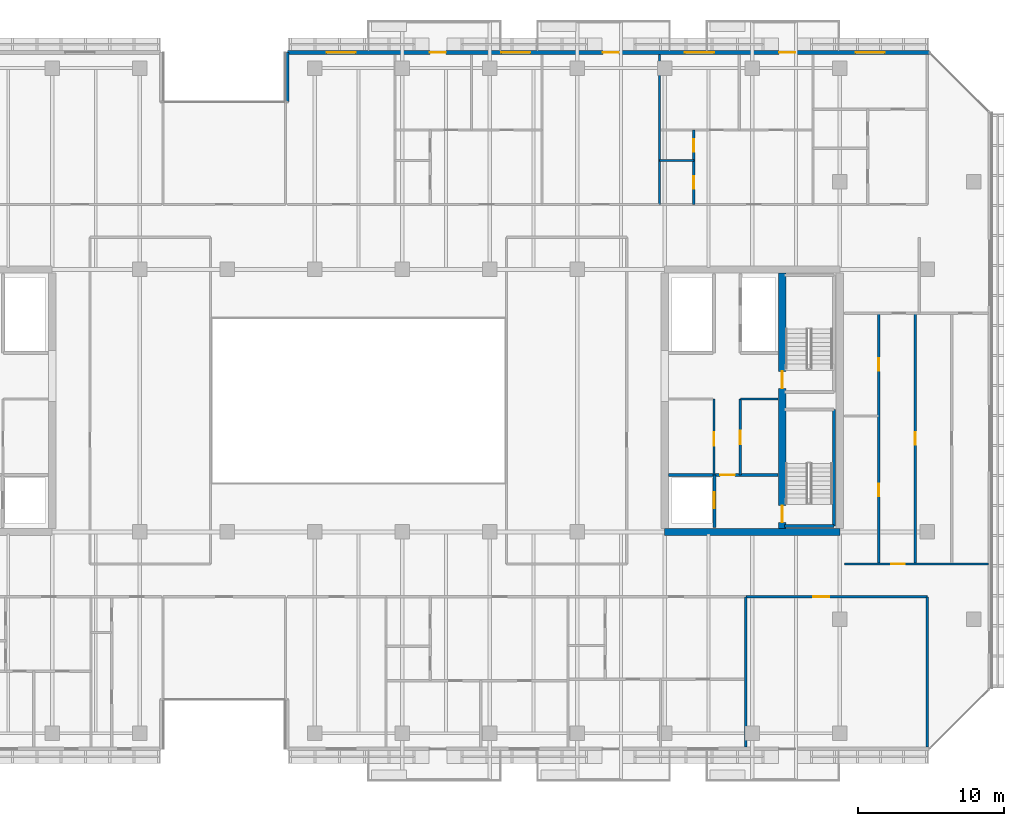
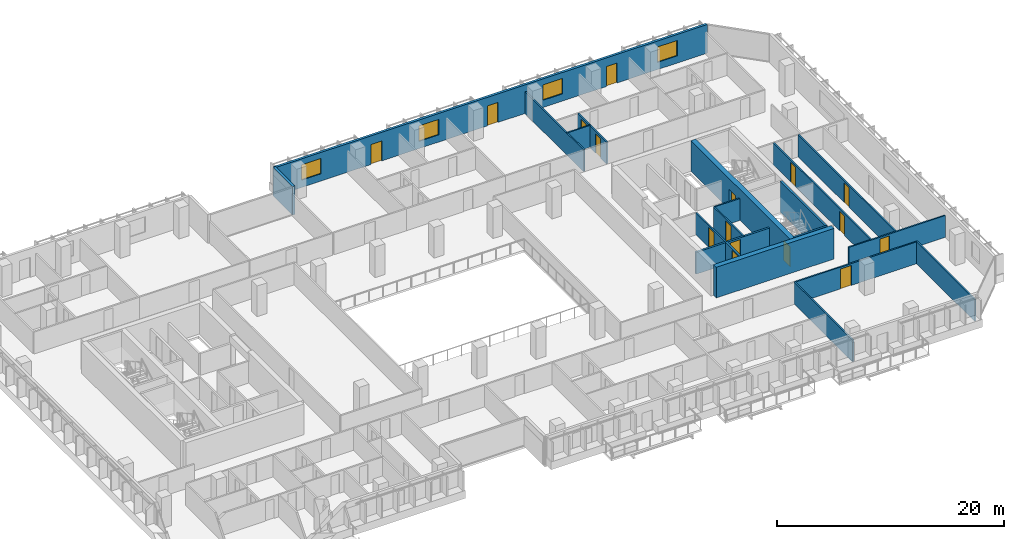
# One storey, part 27 of 35: 20 walls, 16 doors, 4 windows, 20 openings.
"""IFC4 building model written with IfcOpenShell, lengths in metres."""

from ifc_helpers import new_model, si_unit, direction, frame, frame_2d, origin, place, context, subcontext, project, spatial, rectangle, extrude, material, layer, layer_set, type_object, element, fill, save


model = new_model("IFC4")

# Units and contexts
model_context = context("Model", 3, precision=1e-05, world=origin(), true_north=direction((0.0, 1.0)))
body_context = subcontext(model_context, "Body", "Model", "MODEL_VIEW")
ifc_project = project(units=[si_unit("LENGTHUNIT", "METRE"), si_unit("AREAUNIT", "SQUARE_METRE"), si_unit("VOLUMEUNIT", "CUBIC_METRE"), si_unit("PLANEANGLEUNIT", "RADIAN"), si_unit("MASSUNIT", "GRAM", prefix="KILO")], contexts=[model_context])

# Site, building, storey
site_placement = place(None, origin())
site = spatial("IfcSite", under=ifc_project, at=site_placement, CompositionType="ELEMENT")
building_placement = place(site_placement, origin())
building = spatial("IfcBuilding", under=site, at=building_placement, Name="Tanjung Sevakor Pilgrim Tower", CompositionType="ELEMENT")
storey_placement = place(building_placement, frame((0.0, 0.0, 92.070068359375)))
storey = spatial("IfcBuildingStorey", under=building, at=storey_placement, Name="L25", CompositionType="ELEMENT", Elevation=92.070068359375)

# Wall
ifc_material_1 = material(Name="Concrete C60/75", Category="concrete")
ifc_layer_1 = layer(ifc_material_1, 0.5)
ifc_layer_set_1 = layer_set([ifc_layer_1], Name="WALL-CW-500")
wall_type_1 = type_object("IfcWallType", Name="WALL-CW-500", PredefinedType="SHEAR", material=ifc_layer_set_1)
wall_1_placement = place(storey_placement, frame((78.0, 24.60009765625, 0.0), z_axis=(0.0, 0.0, 1.0), x_axis=(1.0, 0.0, 0.0)))
element("IfcWall", 1, at=wall_1_placement, inside=storey, type_object=wall_type_1, Name="L25 E Core South Shear Wall", PredefinedType="SHEAR", context=body_context, shape_type="SweptSolid", body=[
    extrude(rectangle(XDim=12.0, YDim=0.5, at=frame_2d((6.0, 0.0))), origin(), (0.0, 0.0, 1.0), 3.300048828125),
])

# Wall, openings, doors
wall_2_placement = place(storey_placement, frame((86.050048828125, 24.85009765625, 0.0), z_axis=(0.0, 0.0, 1.0), x_axis=(0.0, 1.0, 0.0)))
wall_2 = element("IfcWall", 2, at=wall_2_placement, inside=storey, type_object=wall_type_1, Name="L25 E Core Stair Spine Wall", PredefinedType="SHEAR", context=body_context, shape_type="SweptSolid", body=[
    extrude(rectangle(XDim=17.5, YDim=0.5, at=frame_2d((8.75, 0.0))), origin(), (0.0, 0.0, 1.0), 3.300048828125),
])
opening_1_placement = place(wall_2_placement, frame((0.39990234375, 0.0, 0.0)))
opening_1 = element("IfcOpeningElement", 3, at=opening_1_placement, cuts=wall_2, Name="Opening ID-ST1", PredefinedType="OPENING", context=body_context, shape_type="SweptSolid", body=[
    extrude(rectangle(XDim=1.14990234375, YDim=2.14990234375, at=frame_2d((0.574951171875, 1.074951171875))), frame((0.0, 0.260009765625, 0.0), z_axis=(0.0, -1.0, 0.0), x_axis=(1.0, 0.0, 0.0)), (0.0, 0.0, 1.0), 0.52001953125),
])
opening_2_placement = place(wall_2_placement, frame((9.60009765625, 0.0, 0.0)))
opening_2 = element("IfcOpeningElement", 4, at=opening_2_placement, cuts=wall_2, Name="Opening ID-ST1", PredefinedType="OPENING", context=body_context, shape_type="SweptSolid", body=[
    extrude(rectangle(XDim=1.14990234375, YDim=2.14990234375, at=frame_2d((0.574951171875, 1.074951171875))), frame((0.0, 0.260009765625, 0.0), z_axis=(0.0, -1.0, 0.0), x_axis=(1.0, 0.0, 0.0)), (0.0, 0.0, 1.0), 0.52001953125),
])
ifc_material_2 = material(Name="Fire-Rated Steel S355J2", Category="steel")
door_type_1 = type_object("IfcDoorType", Name="DT-FIRE-1150", OperationType="NOTDEFINED", PredefinedType="DOOR", material=ifc_material_2)
door_1_placement = place(opening_1_placement, origin())
door_1 = element("IfcDoor", 5, at=door_1_placement, inside=storey, type_object=door_type_1, Name="L25 TS-E1 Stair Fire Door", OperationType="SINGLE_SWING_RIGHT", OverallHeight=2.14990234375, OverallWidth=1.14990234375, PredefinedType="DOOR", context=body_context, shape_type="SweptSolid", body=[
    extrude(rectangle(XDim=1.14990234375, YDim=2.14990234375, at=frame_2d((0.574951171875, 1.074951171875))), frame((0.0, 0.02490234375, 0.0), z_axis=(0.0, -1.0, 0.0), x_axis=(1.0, 0.0, 0.0)), (0.0, 0.0, 1.0), 0.050048828125),
])
fill(opening_1, door_1)
door_2_placement = place(opening_2_placement, origin())
door_2 = element("IfcDoor", 6, at=door_2_placement, inside=storey, type_object=door_type_1, Name="L25 TS-E2 Stair Fire Door", OperationType="SINGLE_SWING_LEFT", OverallHeight=2.14990234375, OverallWidth=1.14990234375, PredefinedType="DOOR", context=body_context, shape_type="SweptSolid", body=[
    extrude(rectangle(XDim=1.14990234375, YDim=2.14990234375, at=frame_2d((0.574951171875, 1.074951171875))), frame((0.0, 0.02490234375, 0.0), z_axis=(0.0, -1.0, 0.0), x_axis=(1.0, 0.0, 0.0)), (0.0, 0.0, 1.0), 0.050048828125),
])
fill(opening_2, door_2)

# Wall
ifc_material_3 = material(Name="Concrete C40/50", Category="concrete")
ifc_layer_2 = layer(ifc_material_3, 0.14990234375)
ifc_layer_set_2 = layer_set([ifc_layer_2], Name="WT-COMP-150")
wall_type_2 = type_object("IfcWallType", Name="WT-COMP-150", PredefinedType="SOLIDWALL", material=ifc_layer_set_2)
wall_3_placement = place(storey_placement, frame((83.199951171875, 33.719970703125, 0.0), z_axis=(0.0, 0.0, 1.0), x_axis=(1.0, 0.0, 0.0)))
element("IfcWall", 7, at=wall_3_placement, inside=storey, type_object=wall_type_2, Name="L25 Partition IW-L25-013", PredefinedType="SOLIDWALL", context=body_context, shape_type="SweptSolid", body=[
    extrude(rectangle(XDim=2.580078125, YDim=0.14990234375, at=frame_2d((1.2900390625, 0.0))), origin(), (0.0, 0.0, 1.0), 2.35009765625),
])

# Wall, opening, door
wall_4_placement = place(storey_placement, frame((83.179931640625, 28.5, 0.0), z_axis=(0.0, 0.0, 1.0), x_axis=(0.0, 1.0, 0.0)))
wall_4 = element("IfcWall", 8, at=wall_4_placement, inside=storey, type_object=wall_type_2, Name="L25 Partition IW-L25-014", PredefinedType="SOLIDWALL", context=body_context, shape_type="SweptSolid", body=[
    extrude(rectangle(XDim=5.219970703125, YDim=0.14990234375, at=frame_2d((2.60986328125, 0.0))), origin(), (0.0, 0.0, 1.0), 2.35009765625),
])
opening_3_placement = place(wall_4_placement, frame((2.10009765625, 0.0, 0.0)))
opening_3 = element("IfcOpeningElement", 9, at=opening_3_placement, cuts=wall_4, Name="Opening ID-FD2", PredefinedType="OPENING", context=body_context, shape_type="SweptSolid", body=[
    extrude(rectangle(XDim=0.949951171875, YDim=2.14990234375, at=frame_2d((0.47509765625, 1.074951171875))), frame((0.0, 0.0849609375, 0.0), z_axis=(0.0, -1.0, 0.0), x_axis=(1.0, 0.0, 0.0)), (0.0, 0.0, 1.0), 0.169921875),
])
ifc_material_4 = material(Name="Fire-Rated Timber", Category="wood")
door_type_2 = type_object("IfcDoorType", Name="DT-FIRE-950", OperationType="NOTDEFINED", PredefinedType="DOOR", material=ifc_material_4)
door_3_placement = place(opening_3_placement, origin())
door_3 = element("IfcDoor", 10, at=door_3_placement, inside=storey, type_object=door_type_2, Name="L25 Housekeeping Pantry Door", OperationType="SINGLE_SWING_LEFT", OverallHeight=2.14990234375, OverallWidth=0.949951171875, PredefinedType="DOOR", context=body_context, shape_type="SweptSolid", body=[
    extrude(rectangle(XDim=0.949951171875, YDim=2.14990234375, at=frame_2d((0.47509765625, 1.074951171875))), frame((0.0, 0.02490234375, 0.0), z_axis=(0.0, -1.0, 0.0), x_axis=(1.0, 0.0, 0.0)), (0.0, 0.0, 1.0), 0.050048828125),
])
fill(opening_3, door_3)

wall_5_placement = place(storey_placement, frame((81.3798828125, 28.5, 0.0), z_axis=(0.0, 0.0, 1.0), x_axis=(0.0, 1.0, 0.0)))
wall_5 = element("IfcWall", 11, at=wall_5_placement, inside=storey, type_object=wall_type_2, Name="L25 Partition IW-L25-016", PredefinedType="SOLIDWALL", context=body_context, shape_type="SweptSolid", body=[
    extrude(rectangle(XDim=5.219970703125, YDim=0.14990234375, at=frame_2d((2.60986328125, 0.0))), origin(), (0.0, 0.0, 1.0), 2.35009765625),
])
opening_4_placement = place(wall_5_placement, frame((2.0, 0.0, 0.0)))
opening_4 = element("IfcOpeningElement", 12, at=opening_4_placement, cuts=wall_5, Name="Opening ID-FD2", PredefinedType="OPENING", context=body_context, shape_type="SweptSolid", body=[
    extrude(rectangle(XDim=0.949951171875, YDim=2.14990234375, at=frame_2d((0.47509765625, 1.074951171875))), frame((0.0, 0.0849609375, 0.0), z_axis=(0.0, -1.0, 0.0), x_axis=(1.0, 0.0, 0.0)), (0.0, 0.0, 1.0), 0.169921875),
])
door_4_placement = place(opening_4_placement, origin())
door_4 = element("IfcDoor", 13, at=door_4_placement, inside=storey, type_object=door_type_2, Name="L25 Accessible WC Door", OperationType="SINGLE_SWING_RIGHT", OverallHeight=2.14990234375, OverallWidth=0.949951171875, PredefinedType="DOOR", context=body_context, shape_type="SweptSolid", body=[
    extrude(rectangle(XDim=0.949951171875, YDim=2.14990234375, at=frame_2d((0.47509765625, 1.074951171875))), frame((0.0, 0.02490234375, 0.0), z_axis=(0.0, -1.0, 0.0), x_axis=(1.0, 0.0, 0.0)), (0.0, 0.0, 1.0), 0.050048828125),
])
fill(opening_4, door_4)

wall_6_placement = place(storey_placement, frame((90.320068359375, 22.39990234375, 0.0), z_axis=(0.0, 0.0, 1.0), x_axis=(1.0, 0.0, 0.0)))
wall_6 = element("IfcWall", 14, at=wall_6_placement, inside=storey, type_object=wall_type_2, Name="L25 Partition IW-L25-036", PredefinedType="SOLIDWALL", context=body_context, shape_type="SweptSolid", body=[
    extrude(rectangle(XDim=9.869873046875, YDim=0.14990234375, at=frame_2d((4.93505859375, 0.0))), origin(), (0.0, 0.0, 1.0), 2.35009765625),
])
opening_5_placement = place(wall_6_placement, frame((3.193359375, 0.0, 0.0)))
opening_5 = element("IfcOpeningElement", 15, at=opening_5_placement, cuts=wall_6, Name="Opening ID-FD2", PredefinedType="OPENING", context=body_context, shape_type="SweptSolid", body=[
    extrude(rectangle(XDim=0.949951171875, YDim=2.14990234375, at=frame_2d((0.47509765625, 1.074951171875))), frame((0.0, 0.0849609375, 0.0), z_axis=(0.0, -1.0, 0.0), x_axis=(1.0, 0.0, 0.0)), (0.0, 0.0, 1.0), 0.169921875),
])
door_5_placement = place(opening_5_placement, origin())
door_5 = element("IfcDoor", 16, at=door_5_placement, inside=storey, type_object=door_type_2, Name="Suite Entrance", OperationType="SINGLE_SWING_RIGHT", OverallHeight=2.14990234375, OverallWidth=0.949951171875, PredefinedType="DOOR", context=body_context, shape_type="SweptSolid", body=[
    extrude(rectangle(XDim=0.949951171875, YDim=2.14990234375, at=frame_2d((0.47509765625, 1.074951171875))), frame((0.0, 0.02490234375, 0.0), z_axis=(0.0, -1.0, 0.0), x_axis=(1.0, 0.0, 0.0)), (0.0, 0.0, 1.0), 0.050048828125),
])
fill(opening_5, door_5)

# Walls
for number, where, z_axis, x_axis, name in (
    (17, (96.0, 9.85009765625, 0.0), (0.0, 0.0, 1.0), (0.0, 1.0, 0.0), "L25 Partition IW-L25-059"),
    (18, (83.5595703125, 9.85009765625, 0.0), (0.0, 0.0, 1.0), (0.0, 1.0, 0.0), "L25 Partition IW-L25-068"),
):
    element("IfcWall", number, at=place(storey_placement, frame(where, z_axis=z_axis, x_axis=x_axis)), inside=storey, type_object=wall_type_2, Name=name, PredefinedType="SOLIDWALL", context=body_context, shape_type="SweptSolid", body=[
        extrude(rectangle(XDim=10.2998046875, YDim=0.14990234375, at=frame_2d((5.14990234375, 0.0))), origin(), (0.0, 0.0, 1.0), 2.35009765625),
    ])

# Wall, opening, door
wall_7_placement = place(storey_placement, frame((83.5595703125, 20.14990234375, 0.0), z_axis=(0.0, 0.0, 1.0), x_axis=(1.0, 0.0, 0.0)))
wall_7 = element("IfcWall", 19, at=wall_7_placement, inside=storey, type_object=wall_type_2, Name="L25 Partition IW-L25-074", PredefinedType="SOLIDWALL", context=body_context, shape_type="SweptSolid", body=[
    extrude(rectangle(XDim=12.4404296875, YDim=0.14990234375, at=frame_2d((6.22021484375, 0.0))), origin(), (0.0, 0.0, 1.0), 2.35009765625),
])
opening_6_placement = place(wall_7_placement, frame((4.6201171875, 0.0, 0.0)))
opening_6 = element("IfcOpeningElement", 20, at=opening_6_placement, cuts=wall_7, Name="Opening ID-FD0", PredefinedType="OPENING", context=body_context, shape_type="SweptSolid", body=[
    extrude(rectangle(XDim=1.10009765625, YDim=2.14990234375, at=frame_2d((0.550048828125, 1.074951171875))), frame((0.0, 0.0849609375, 0.0), z_axis=(0.0, -1.0, 0.0), x_axis=(1.0, 0.0, 0.0)), (0.0, 0.0, 1.0), 0.169921875),
])
ifc_material_5 = material(Name="Fire-Rated Steel S355J2", Category="steel")
door_type_3 = type_object("IfcDoorType", Name="DT-FIRE-1100", OperationType="NOTDEFINED", PredefinedType="DOOR", material=ifc_material_5)
door_6_placement = place(opening_6_placement, origin())
door_6 = element("IfcDoor", 21, at=door_6_placement, inside=storey, type_object=door_type_3, Name="Communal Lounge Door", OperationType="SINGLE_SWING_LEFT", OverallHeight=2.14990234375, OverallWidth=1.10009765625, PredefinedType="DOOR", context=body_context, shape_type="SweptSolid", body=[
    extrude(rectangle(XDim=1.10009765625, YDim=2.14990234375, at=frame_2d((0.550048828125, 1.074951171875))), frame((0.0, 0.02490234375, 0.0), z_axis=(0.0, -1.0, 0.0), x_axis=(1.0, 0.0, 0.0)), (0.0, 0.0, 1.0), 0.050048828125),
])
fill(opening_6, door_6)

# Wall
wall_8_placement = place(storey_placement, frame((77.64208984375, 47.050048828125, 0.0), z_axis=(0.0, 0.0, 1.0), x_axis=(0.0, 1.0, 0.0)))
element("IfcWall", 22, at=wall_8_placement, inside=storey, type_object=wall_type_2, Name="L25 Partition IW-L25-092", PredefinedType="SOLIDWALL", context=body_context, shape_type="SweptSolid", body=[
    extrude(rectangle(XDim=10.300048828125, YDim=0.14990234375, at=frame_2d((5.14990234375, 0.0))), origin(), (0.0, 0.0, 1.0), 2.35009765625),
])

# Wall, openings, doors, windows
ifc_material_6 = material(Name="Precast concrete C45/55", Category="concrete")
ifc_layer_3 = layer(ifc_material_6, 0.25)
ifc_layer_set_3 = layer_set([ifc_layer_3], Name="WT-EW-STN3")
wall_type_3 = type_object("IfcWallType", Name="WT-EW-STN3", PredefinedType="SOLIDWALL", material=ifc_layer_set_3)
wall_9_placement = place(storey_placement, frame((96.148193359375, 57.47509765625, 0.0), z_axis=(0.0, 0.0, 1.0), x_axis=(-1.0, 0.0, 0.0)))
wall_9 = element("IfcWall", 23, at=wall_9_placement, inside=storey, type_object=wall_type_3, Name="L25 MAIN Exterior Wall 9", PredefinedType="SOLIDWALL", context=body_context, shape_type="SweptSolid", body=[
    extrude(rectangle(XDim=44.023193359375, YDim=0.25, at=frame_2d((22.01171875, 0.0))), origin(), (0.0, 0.0, 1.0), 3.080078125),
])
opening_7_placement = place(wall_9_placement, frame((33.148193359375, 0.0, 0.0)))
opening_7 = element("IfcOpeningElement", 24, at=opening_7_placement, cuts=wall_9, Name="Opening ED-BAL-1100", PredefinedType="OPENING", context=body_context, shape_type="SweptSolid", body=[
    extrude(rectangle(XDim=1.10009765625, YDim=2.14990234375, at=frame_2d((0.550048828125, 1.074951171875))), frame((0.0, 0.135009765625, 0.0), z_axis=(0.0, -1.0, 0.0), x_axis=(1.0, 0.0, 0.0)), (0.0, 0.0, 1.0), 0.27001953125),
])
opening_8_placement = place(wall_9_placement, frame((21.298095703125, 0.0, 0.0)))
opening_8 = element("IfcOpeningElement", 25, at=opening_8_placement, cuts=wall_9, Name="Opening ED-BAL-1100", PredefinedType="OPENING", context=body_context, shape_type="SweptSolid", body=[
    extrude(rectangle(XDim=1.10009765625, YDim=2.14990234375, at=frame_2d((0.550048828125, 1.074951171875))), frame((0.0, 0.135009765625, 0.0), z_axis=(0.0, -1.0, 0.0), x_axis=(1.0, 0.0, 0.0)), (0.0, 0.0, 1.0), 0.27001953125),
])
opening_9_placement = place(wall_9_placement, frame((9.1982421875, 0.0, 0.0)))
opening_9 = element("IfcOpeningElement", 26, at=opening_9_placement, cuts=wall_9, Name="Opening ED-BAL-1100", PredefinedType="OPENING", context=body_context, shape_type="SweptSolid", body=[
    extrude(rectangle(XDim=1.10009765625, YDim=2.14990234375, at=frame_2d((0.550048828125, 1.074951171875))), frame((0.0, 0.135009765625, 0.0), z_axis=(0.0, -1.0, 0.0), x_axis=(1.0, 0.0, 0.0)), (0.0, 0.0, 1.0), 0.27001953125),
])
opening_10_placement = place(wall_9_placement, frame((39.334228515625, 0.0, 0.780029296875)))
opening_10 = element("IfcOpeningElement", 27, at=opening_10_placement, cuts=wall_9, Name="Opening WN-Z2-1660", PredefinedType="OPENING", context=body_context, shape_type="SweptSolid", body=[
    extrude(rectangle(XDim=2.0, YDim=1.659912109375, at=frame_2d((1.0, 0.830078125))), frame((0.0, 0.135009765625, 0.0), z_axis=(0.0, -1.0, 0.0), x_axis=(1.0, 0.0, 0.0)), (0.0, 0.0, 1.0), 0.27001953125),
])
opening_11_placement = place(wall_9_placement, frame((27.353515625, 0.0, 0.780029296875)))
opening_11 = element("IfcOpeningElement", 28, at=opening_11_placement, cuts=wall_9, Name="Opening WN-Z2-1660", PredefinedType="OPENING", context=body_context, shape_type="SweptSolid", body=[
    extrude(rectangle(XDim=2.0, YDim=1.659912109375, at=frame_2d((1.0, 0.830078125))), frame((0.0, 0.135009765625, 0.0), z_axis=(0.0, -1.0, 0.0), x_axis=(1.0, 0.0, 0.0)), (0.0, 0.0, 1.0), 0.27001953125),
])
opening_12_placement = place(wall_9_placement, frame((14.760498046875, 0.0, 0.780029296875)))
opening_12 = element("IfcOpeningElement", 29, at=opening_12_placement, cuts=wall_9, Name="Opening WN-Z2-1660", PredefinedType="OPENING", context=body_context, shape_type="SweptSolid", body=[
    extrude(rectangle(XDim=2.0, YDim=1.659912109375, at=frame_2d((1.0, 0.830078125))), frame((0.0, 0.135009765625, 0.0), z_axis=(0.0, -1.0, 0.0), x_axis=(1.0, 0.0, 0.0)), (0.0, 0.0, 1.0), 0.27001953125),
])
opening_13_placement = place(wall_9_placement, frame((3.066162109375, 0.0, 0.780029296875)))
opening_13 = element("IfcOpeningElement", 30, at=opening_13_placement, cuts=wall_9, Name="Opening WN-Z2-1660", PredefinedType="OPENING", context=body_context, shape_type="SweptSolid", body=[
    extrude(rectangle(XDim=2.0, YDim=1.659912109375, at=frame_2d((1.0, 0.830078125))), frame((0.0, 0.135009765625, 0.0), z_axis=(0.0, -1.0, 0.0), x_axis=(1.0, 0.0, 0.0)), (0.0, 0.0, 1.0), 0.27001953125),
])
ifc_material_7 = material(Name="Anodised Aluminium and Laminated Glass", Category="aluminium")
door_type_4 = type_object("IfcDoorType", Name="DTYP-ED-BAL-1100", OperationType="NOTDEFINED", PredefinedType="DOOR", material=ifc_material_7)
door_7_placement = place(opening_7_placement, frame((1.10009765625, 0.0, 0.0), z_axis=(0.0, 0.0, 1.0), x_axis=(-1.0, 0.0, 0.0)))
door_7 = element("IfcDoor", 31, at=door_7_placement, inside=storey, type_object=door_type_4, Name="L25 Balcony Door MAIN-N2", OperationType="SINGLE_SWING_RIGHT", OverallHeight=2.14990234375, OverallWidth=1.10009765625, PredefinedType="DOOR", context=body_context, shape_type="SweptSolid", body=[
    extrude(rectangle(XDim=1.10009765625, YDim=2.14990234375, at=frame_2d((0.550048828125, 1.074951171875))), frame((0.0, 0.02490234375, 0.0), z_axis=(0.0, -1.0, 0.0), x_axis=(1.0, 0.0, 0.0)), (0.0, 0.0, 1.0), 0.050048828125),
])
fill(opening_7, door_7)
door_8_placement = place(opening_8_placement, frame((1.10009765625, 0.0, 0.0), z_axis=(0.0, 0.0, 1.0), x_axis=(-1.0, 0.0, 0.0)))
door_8 = element("IfcDoor", 32, at=door_8_placement, inside=storey, type_object=door_type_4, Name="L25 Balcony Door MAIN-N3", OperationType="SINGLE_SWING_LEFT", OverallHeight=2.14990234375, OverallWidth=1.10009765625, PredefinedType="DOOR", context=body_context, shape_type="SweptSolid", body=[
    extrude(rectangle(XDim=1.10009765625, YDim=2.14990234375, at=frame_2d((0.550048828125, 1.074951171875))), frame((0.0, 0.02490234375, 0.0), z_axis=(0.0, -1.0, 0.0), x_axis=(1.0, 0.0, 0.0)), (0.0, 0.0, 1.0), 0.050048828125),
])
fill(opening_8, door_8)
door_9_placement = place(opening_9_placement, frame((1.10009765625, 0.0, 0.0), z_axis=(0.0, 0.0, 1.0), x_axis=(-1.0, 0.0, 0.0)))
door_9 = element("IfcDoor", 33, at=door_9_placement, inside=storey, type_object=door_type_4, Name="L25 Balcony Door MAIN-N4", OperationType="SINGLE_SWING_RIGHT", OverallHeight=2.14990234375, OverallWidth=1.10009765625, PredefinedType="DOOR", context=body_context, shape_type="SweptSolid", body=[
    extrude(rectangle(XDim=1.10009765625, YDim=2.14990234375, at=frame_2d((0.550048828125, 1.074951171875))), frame((0.0, 0.02490234375, 0.0), z_axis=(0.0, -1.0, 0.0), x_axis=(1.0, 0.0, 0.0)), (0.0, 0.0, 1.0), 0.050048828125),
])
fill(opening_9, door_9)
ifc_material_8 = material(Name="Thermally Broken Aluminium and Low-E Glass", Category="aluminium")
window_type = type_object("IfcWindowType", Name="WTYP-WN-Z2-1660", PartitioningType="DOUBLE_PANEL_VERTICAL", PredefinedType="WINDOW", material=ifc_material_8)
window_1_placement = place(opening_10_placement, origin())
window_1 = element("IfcWindow", 34, at=window_1_placement, inside=storey, type_object=window_type, Name="L25 Facade Window 01", OverallHeight=1.659912109375, OverallWidth=2.0, PartitioningType="SINGLE_PANEL", PredefinedType="WINDOW", context=body_context, shape_type="SweptSolid", body=[
    extrude(rectangle(XDim=2.0, YDim=1.659912109375, at=frame_2d((1.0, 0.830078125))), frame((0.0, 0.030029296875, 0.0), z_axis=(0.0, -1.0, 0.0), x_axis=(1.0, 0.0, 0.0)), (0.0, 0.0, 1.0), 0.06005859375),
])
fill(opening_10, window_1)
window_2_placement = place(opening_11_placement, origin())
window_2 = element("IfcWindow", 35, at=window_2_placement, inside=storey, type_object=window_type, Name="L25 Facade Window 02", OverallHeight=1.659912109375, OverallWidth=2.0, PartitioningType="SINGLE_PANEL", PredefinedType="WINDOW", context=body_context, shape_type="SweptSolid", body=[
    extrude(rectangle(XDim=2.0, YDim=1.659912109375, at=frame_2d((1.0, 0.830078125))), frame((0.0, 0.030029296875, 0.0), z_axis=(0.0, -1.0, 0.0), x_axis=(1.0, 0.0, 0.0)), (0.0, 0.0, 1.0), 0.06005859375),
])
fill(opening_11, window_2)
window_3_placement = place(opening_12_placement, origin())
window_3 = element("IfcWindow", 36, at=window_3_placement, inside=storey, type_object=window_type, Name="L25 Facade Window 03", OverallHeight=1.659912109375, OverallWidth=2.0, PartitioningType="SINGLE_PANEL", PredefinedType="WINDOW", context=body_context, shape_type="SweptSolid", body=[
    extrude(rectangle(XDim=2.0, YDim=1.659912109375, at=frame_2d((1.0, 0.830078125))), frame((0.0, 0.030029296875, 0.0), z_axis=(0.0, -1.0, 0.0), x_axis=(1.0, 0.0, 0.0)), (0.0, 0.0, 1.0), 0.06005859375),
])
fill(opening_12, window_3)
window_4_placement = place(opening_13_placement, origin())
window_4 = element("IfcWindow", 37, at=window_4_placement, inside=storey, type_object=window_type, Name="L25 Facade Window 04", OverallHeight=1.659912109375, OverallWidth=2.0, PartitioningType="SINGLE_PANEL", PredefinedType="WINDOW", context=body_context, shape_type="SweptSolid", body=[
    extrude(rectangle(XDim=2.0, YDim=1.659912109375, at=frame_2d((1.0, 0.830078125))), frame((0.0, 0.030029296875, 0.0), z_axis=(0.0, -1.0, 0.0), x_axis=(1.0, 0.0, 0.0)), (0.0, 0.0, 1.0), 0.06005859375),
])
fill(opening_13, window_4)

# Walls
wall_10_placement = place(storey_placement, frame((52.125, 57.47509765625, 0.0), z_axis=(0.0, 0.0, 1.0), x_axis=(0.0, -1.0, 0.0)))
element("IfcWall", 38, at=wall_10_placement, inside=storey, type_object=wall_type_3, Name="L25 MAIN Exterior Wall 10", PredefinedType="SOLIDWALL", context=body_context, shape_type="SweptSolid", body=[
    extrude(rectangle(XDim=3.400146484375, YDim=0.25, at=frame_2d((1.7001953125, 0.0))), origin(), (0.0, 0.0, 1.0), 3.080078125),
])
ifc_material_9 = material(Name="Concrete C40/50", Category="concrete")
ifc_layer_4 = layer(ifc_material_9, 0.199951171875)
ifc_layer_set_4 = layer_set([ifc_layer_4], Name="WT-FIRE-200")
wall_type_4 = type_object("IfcWallType", Name="WT-FIRE-200", PredefinedType="SOLIDWALL", material=ifc_layer_set_4)
wall_11_placement = place(storey_placement, frame((86.199951171875, 25.0, 0.0), z_axis=(0.0, 0.0, 1.0), x_axis=(1.0, 0.0, 0.0)))
element("IfcWall", 39, at=wall_11_placement, inside=storey, type_object=wall_type_4, Name="L25 TS-E1 Shaft Wall 1", PredefinedType="SOLIDWALL", context=body_context, shape_type="SweptSolid", body=[
    extrude(rectangle(XDim=3.400146484375, YDim=0.199951171875, at=frame_2d((1.7001953125, 0.0))), origin(), (0.0, 0.0, 1.0), 3.300048828125),
])
wall_12_placement = place(storey_placement, frame((89.60009765625, 25.0, 0.0), z_axis=(0.0, 0.0, 1.0), x_axis=(0.0, 1.0, 0.0)))
element("IfcWall", 40, at=wall_12_placement, inside=storey, type_object=wall_type_4, Name="L25 TS-E1 Shaft Wall 2", PredefinedType="SOLIDWALL", context=body_context, shape_type="SweptSolid", body=[
    extrude(rectangle(XDim=8.0, YDim=0.199951171875, at=frame_2d((4.0, 0.0))), origin(), (0.0, 0.0, 1.0), 3.300048828125),
])

# Wall, opening, door
ifc_material_10 = material(Name="Concrete C40/50", Category="concrete")
ifc_layer_5 = layer(ifc_material_10, 0.199951171875)
ifc_layer_set_5 = layer_set([ifc_layer_5], Name="WT-FPRT-200")
wall_type_5 = type_object("IfcWallType", Name="WT-FPRT-200", PredefinedType="SOLIDWALL", material=ifc_layer_set_5)
wall_13_placement = place(storey_placement, frame((81.39990234375, 24.919921875, 0.0), z_axis=(0.0, 0.0, 1.0), x_axis=(0.0, 1.0, 0.0)))
wall_13 = element("IfcWall", 41, at=wall_13_placement, inside=storey, type_object=wall_type_5, Name="L25 Partition IW-L25-011", PredefinedType="SOLIDWALL", context=body_context, shape_type="SweptSolid", body=[
    extrude(rectangle(XDim=3.580078125, YDim=0.199951171875, at=frame_2d((1.7900390625, 0.0))), origin(), (0.0, 0.0, 1.0), 2.35009765625),
])
opening_14_placement = place(wall_13_placement, frame((1.300048828125, 0.0, 0.0)))
opening_14 = element("IfcOpeningElement", 42, at=opening_14_placement, cuts=wall_13, Name="Opening LD-1100", PredefinedType="OPENING", context=body_context, shape_type="SweptSolid", body=[
    extrude(rectangle(XDim=1.10009765625, YDim=2.199951171875, at=frame_2d((0.550048828125, 1.10009765625))), frame((0.0, 0.10986328125, 0.0), z_axis=(0.0, -1.0, 0.0), x_axis=(1.0, 0.0, 0.0)), (0.0, 0.0, 1.0), 0.219970703125),
])
ifc_material_11 = material(Name="Brushed Stainless Steel S355J2", Category="steel")
door_type_5 = type_object("IfcDoorType", Name="DT-LIFT-1100", OperationType="SLIDING_TO_LEFT", PredefinedType="DOOR", material=ifc_material_11)
door_10_placement = place(opening_14_placement, origin())
door_10 = element("IfcDoor", 43, at=door_10_placement, inside=storey, type_object=door_type_5, Name="LD-FL-E", OperationType="SLIDING_TO_LEFT", OverallHeight=2.199951171875, OverallWidth=1.10009765625, PredefinedType="DOOR", context=body_context, shape_type="SweptSolid", body=[
    extrude(rectangle(XDim=1.10009765625, YDim=2.199951171875, at=frame_2d((0.550048828125, 1.10009765625))), frame((0.0, 0.02490234375, 0.0), z_axis=(0.0, -1.0, 0.0), x_axis=(1.0, 0.0, 0.0)), (0.0, 0.0, 1.0), 0.050048828125),
])
fill(opening_14, door_10)

wall_14_placement = place(storey_placement, frame((78.27001953125, 28.5, 0.0), z_axis=(0.0, 0.0, 1.0), x_axis=(1.0, 0.0, 0.0)))
wall_14 = element("IfcWall", 44, at=wall_14_placement, inside=storey, type_object=wall_type_5, Name="L25 Partition IW-L25-012", PredefinedType="SOLIDWALL", context=body_context, shape_type="SweptSolid", body=[
    extrude(rectangle(XDim=7.510009765625, YDim=0.199951171875, at=frame_2d((3.7548828125, 0.0))), origin(), (0.0, 0.0, 1.0), 2.35009765625),
])
opening_15_placement = place(wall_14_placement, frame((3.530029296875, 0.0, 0.0)))
opening_15 = element("IfcOpeningElement", 45, at=opening_15_placement, cuts=wall_14, Name="Opening ID-FD1", PredefinedType="OPENING", context=body_context, shape_type="SweptSolid", body=[
    extrude(rectangle(XDim=1.0, YDim=2.14990234375, at=frame_2d((0.5, 1.074951171875))), frame((0.0, 0.10986328125, 0.0), z_axis=(0.0, -1.0, 0.0), x_axis=(1.0, 0.0, 0.0)), (0.0, 0.0, 1.0), 0.219970703125),
])
ifc_material_12 = material(Name="Fire-Rated Steel S355J2", Category="steel")
door_type_6 = type_object("IfcDoorType", Name="DT-FIRE-1000", OperationType="NOTDEFINED", PredefinedType="DOOR", material=ifc_material_12)
door_11_placement = place(opening_15_placement, origin())
door_11 = element("IfcDoor", 46, at=door_11_placement, inside=storey, type_object=door_type_6, Name="Fire Lobby Door E", OperationType="SINGLE_SWING_RIGHT", OverallHeight=2.14990234375, OverallWidth=1.0, PredefinedType="DOOR", context=body_context, shape_type="SweptSolid", body=[
    extrude(rectangle(XDim=1.0, YDim=2.14990234375, at=frame_2d((0.5, 1.074951171875))), frame((0.0, 0.02490234375, 0.0), z_axis=(0.0, -1.0, 0.0), x_axis=(1.0, 0.0, 0.0)), (0.0, 0.0, 1.0), 0.050048828125),
])
fill(opening_15, door_11)

ifc_material_13 = material(Name="Gypsum Board Partition", Category="gypsum board")
ifc_layer_6 = layer(ifc_material_13, 0.14990234375)
ifc_layer_set_6 = layer_set([ifc_layer_6], Name="WT-PART-150")
wall_type_6 = type_object("IfcWallType", Name="WT-PART-150", PredefinedType="PARTITIONING", material=ifc_layer_set_6)
wall_15_placement = place(storey_placement, frame((95.1767578125, 22.39990234375, 0.0), z_axis=(0.0, 0.0, 1.0), x_axis=(0.0, 1.0, 0.0)))
wall_15 = element("IfcWall", 47, at=wall_15_placement, inside=storey, type_object=wall_type_6, Name="L25 Partition IW-L25-030", PredefinedType="PARTITIONING", context=body_context, shape_type="SweptSolid", body=[
    extrude(rectangle(XDim=17.2001953125, YDim=0.14990234375, at=frame_2d((8.60009765625, 0.0))), origin(), (0.0, 0.0, 1.0), 2.35009765625),
])
opening_16_placement = place(wall_15_placement, frame((8.175048828125, 0.0, 0.0)))
opening_16 = element("IfcOpeningElement", 48, at=opening_16_placement, cuts=wall_15, Name="Opening ID-WC1", PredefinedType="OPENING", context=body_context, shape_type="SweptSolid", body=[
    extrude(rectangle(XDim=0.85009765625, YDim=2.10009765625, at=frame_2d((0.425048828125, 1.050048828125))), frame((0.0, 0.0849609375, 0.0), z_axis=(0.0, -1.0, 0.0), x_axis=(1.0, 0.0, 0.0)), (0.0, 0.0, 1.0), 0.169921875),
])
ifc_material_14 = material(Name="Moisture-Resistant Timber", Category="wood")
door_type_7 = type_object("IfcDoorType", Name="DT-INT-850", OperationType="NOTDEFINED", PredefinedType="DOOR", material=ifc_material_14)
door_12_placement = place(opening_16_placement, origin())
door_12 = element("IfcDoor", 49, at=door_12_placement, inside=storey, type_object=door_type_7, Name="Suite Study Room Door", OperationType="SINGLE_SWING_RIGHT", OverallHeight=2.10009765625, OverallWidth=0.85009765625, PredefinedType="DOOR", context=body_context, shape_type="SweptSolid", body=[
    extrude(rectangle(XDim=0.85009765625, YDim=2.10009765625, at=frame_2d((0.425048828125, 1.050048828125))), frame((0.0, 0.02490234375, 0.0), z_axis=(0.0, -1.0, 0.0), x_axis=(1.0, 0.0, 0.0)), (0.0, 0.0, 1.0), 0.050048828125),
])
fill(opening_16, door_12)

# Wall, openings, doors
wall_16_placement = place(storey_placement, frame((92.669921875, 22.39990234375, 0.0), z_axis=(0.0, 0.0, 1.0), x_axis=(0.0, 1.0, 0.0)))
wall_16 = element("IfcWall", 50, at=wall_16_placement, inside=storey, type_object=wall_type_6, Name="L25 Partition IW-L25-033", PredefinedType="PARTITIONING", context=body_context, shape_type="SweptSolid", body=[
    extrude(rectangle(XDim=17.2001953125, YDim=0.14990234375, at=frame_2d((8.60009765625, 0.0))), origin(), (0.0, 0.0, 1.0), 2.35009765625),
])
opening_17_placement = place(wall_16_placement, frame((4.64892578125, 0.0, 0.0)))
opening_17 = element("IfcOpeningElement", 51, at=opening_17_placement, cuts=wall_16, Name="Opening ID-WC1", PredefinedType="OPENING", context=body_context, shape_type="SweptSolid", body=[
    extrude(rectangle(XDim=0.85009765625, YDim=2.10009765625, at=frame_2d((0.425048828125, 1.050048828125))), frame((0.0, 0.0849609375, 0.0), z_axis=(0.0, -1.0, 0.0), x_axis=(1.0, 0.0, 0.0)), (0.0, 0.0, 1.0), 0.169921875),
])
opening_18_placement = place(wall_16_placement, frame((13.2490234375, 0.0, 0.0)))
opening_18 = element("IfcOpeningElement", 52, at=opening_18_placement, cuts=wall_16, Name="Opening ID-WC1", PredefinedType="OPENING", context=body_context, shape_type="SweptSolid", body=[
    extrude(rectangle(XDim=0.85009765625, YDim=2.10009765625, at=frame_2d((0.425048828125, 1.050048828125))), frame((0.0, 0.0849609375, 0.0), z_axis=(0.0, -1.0, 0.0), x_axis=(1.0, 0.0, 0.0)), (0.0, 0.0, 1.0), 0.169921875),
])
door_13_placement = place(opening_17_placement, origin())
door_13 = element("IfcDoor", 53, at=door_13_placement, inside=storey, type_object=door_type_7, Name="Suite Kitchenette Door", OperationType="SINGLE_SWING_RIGHT", OverallHeight=2.10009765625, OverallWidth=0.85009765625, PredefinedType="DOOR", context=body_context, shape_type="SweptSolid", body=[
    extrude(rectangle(XDim=0.85009765625, YDim=2.10009765625, at=frame_2d((0.425048828125, 1.050048828125))), frame((0.0, 0.02490234375, 0.0), z_axis=(0.0, -1.0, 0.0), x_axis=(1.0, 0.0, 0.0)), (0.0, 0.0, 1.0), 0.050048828125),
])
fill(opening_17, door_13)
door_14_placement = place(opening_18_placement, origin())
door_14 = element("IfcDoor", 54, at=door_14_placement, inside=storey, type_object=door_type_7, Name="Suite Bathroom Door", OperationType="SINGLE_SWING_LEFT", OverallHeight=2.10009765625, OverallWidth=0.85009765625, PredefinedType="DOOR", context=body_context, shape_type="SweptSolid", body=[
    extrude(rectangle(XDim=0.85009765625, YDim=2.10009765625, at=frame_2d((0.425048828125, 1.050048828125))), frame((0.0, 0.02490234375, 0.0), z_axis=(0.0, -1.0, 0.0), x_axis=(1.0, 0.0, 0.0)), (0.0, 0.0, 1.0), 0.050048828125),
])
fill(opening_18, door_14)

# Wall
wall_17_placement = place(storey_placement, frame((77.64208984375, 50.05908203125, 0.0), z_axis=(0.0, 0.0, 1.0), x_axis=(1.0, 0.0, 0.0)))
element("IfcWall", 55, at=wall_17_placement, inside=storey, type_object=wall_type_6, Name="L25 Partition IW-L25-095", PredefinedType="PARTITIONING", context=body_context, shape_type="SweptSolid", body=[
    extrude(rectangle(XDim=2.35009765625, YDim=0.14990234375, at=frame_2d((1.175048828125, 0.0))), origin(), (0.0, 0.0, 1.0), 2.35009765625),
])

# Wall, openings, doors
wall_18_placement = place(storey_placement, frame((79.9921875, 47.050048828125, 0.0), z_axis=(0.0, 0.0, 1.0), x_axis=(0.0, 1.0, 0.0)))
wall_18 = element("IfcWall", 56, at=wall_18_placement, inside=storey, type_object=wall_type_6, Name="L25 Partition IW-L25-096", PredefinedType="PARTITIONING", context=body_context, shape_type="SweptSolid", body=[
    extrude(rectangle(XDim=5.099853515625, YDim=0.14990234375, at=frame_2d((2.5498046875, 0.0))), origin(), (0.0, 0.0, 1.0), 2.35009765625),
])
opening_19_placement = place(wall_18_placement, frame((1.07958984375, 0.0, 0.0)))
opening_19 = element("IfcOpeningElement", 57, at=opening_19_placement, cuts=wall_18, Name="Opening ID-WC1", PredefinedType="OPENING", context=body_context, shape_type="SweptSolid", body=[
    extrude(rectangle(XDim=0.85009765625, YDim=2.10009765625, at=frame_2d((0.425048828125, 1.050048828125))), frame((0.0, 0.0849609375, 0.0), z_axis=(0.0, -1.0, 0.0), x_axis=(1.0, 0.0, 0.0)), (0.0, 0.0, 1.0), 0.169921875),
])
opening_20_placement = place(wall_18_placement, frame((3.62939453125, 0.0, 0.0)))
opening_20 = element("IfcOpeningElement", 58, at=opening_20_placement, cuts=wall_18, Name="Opening ID-WC1", PredefinedType="OPENING", context=body_context, shape_type="SweptSolid", body=[
    extrude(rectangle(XDim=0.85009765625, YDim=2.10009765625, at=frame_2d((0.425048828125, 1.050048828125))), frame((0.0, 0.0849609375, 0.0), z_axis=(0.0, -1.0, 0.0), x_axis=(1.0, 0.0, 0.0)), (0.0, 0.0, 1.0), 0.169921875),
])
door_15_placement = place(opening_19_placement, origin())
door_15 = element("IfcDoor", 59, at=door_15_placement, inside=storey, type_object=door_type_7, Name="Suite Kitchenette Door", OperationType="SINGLE_SWING_LEFT", OverallHeight=2.10009765625, OverallWidth=0.85009765625, PredefinedType="DOOR", context=body_context, shape_type="SweptSolid", body=[
    extrude(rectangle(XDim=0.85009765625, YDim=2.10009765625, at=frame_2d((0.425048828125, 1.050048828125))), frame((0.0, 0.02490234375, 0.0), z_axis=(0.0, -1.0, 0.0), x_axis=(1.0, 0.0, 0.0)), (0.0, 0.0, 1.0), 0.050048828125),
])
fill(opening_19, door_15)
door_16_placement = place(opening_20_placement, origin())
door_16 = element("IfcDoor", 60, at=door_16_placement, inside=storey, type_object=door_type_7, Name="Suite Bathroom Door", OperationType="SINGLE_SWING_RIGHT", OverallHeight=2.10009765625, OverallWidth=0.85009765625, PredefinedType="DOOR", context=body_context, shape_type="SweptSolid", body=[
    extrude(rectangle(XDim=0.85009765625, YDim=2.10009765625, at=frame_2d((0.425048828125, 1.050048828125))), frame((0.0, 0.02490234375, 0.0), z_axis=(0.0, -1.0, 0.0), x_axis=(1.0, 0.0, 0.0)), (0.0, 0.0, 1.0), 0.050048828125),
])
fill(opening_20, door_16)

save(model, "model.ifc")
